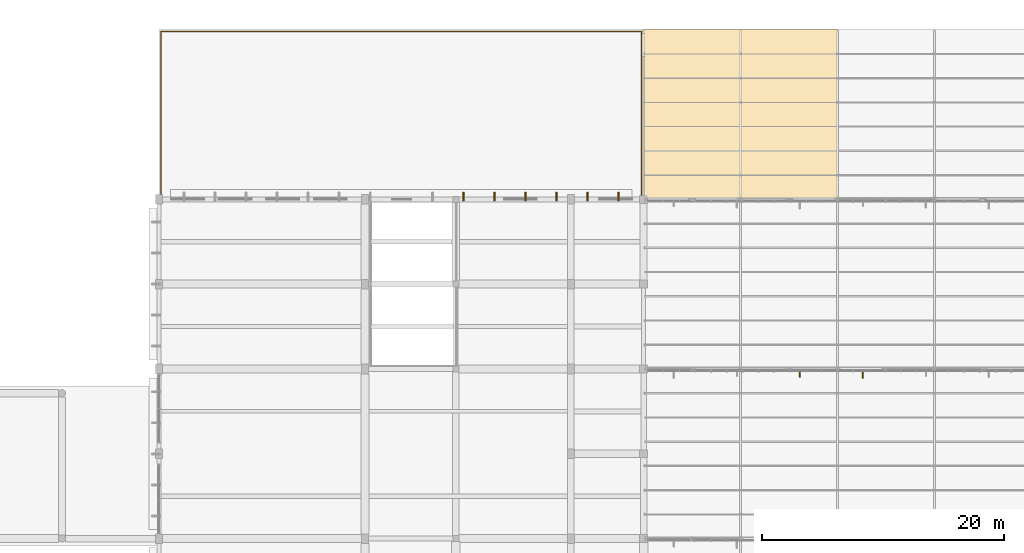
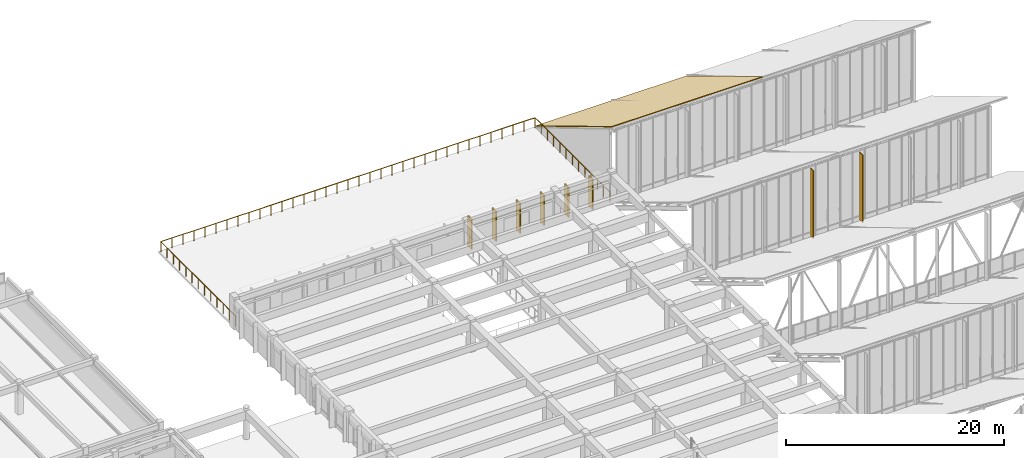
# One storey, part 154 of 155: 7 coverings, 2 shading devices, 1 railing.
"""IFC4 building model written with IfcOpenShell, lengths in metres."""

from ifc_helpers import new_model, si_unit, direction, frame, origin, origin_2d, place, context, subcontext, project, spatial, polyline, rectangle, circle, outline, extrude, material, layer, layer_set, type_object, element, save


model = new_model("IFC4")

# Units and contexts
model_context = context("Model", 3, precision=1e-05, world=origin(), true_north=direction((0.0, 1.0)))
body_context = subcontext(model_context, "Body", "Model", "MODEL_VIEW")
ifc_project = project(units=[si_unit("LENGTHUNIT", "METRE"), si_unit("AREAUNIT", "SQUARE_METRE"), si_unit("VOLUMEUNIT", "CUBIC_METRE"), si_unit("PLANEANGLEUNIT", "RADIAN"), si_unit("MASSUNIT", "GRAM", prefix="KILO")], contexts=[model_context])

# Site, building, storey
site_placement = place(None, origin())
site = spatial("IfcSite", under=ifc_project, at=site_placement, CompositionType="ELEMENT")
building_placement = place(site_placement, origin())
building = spatial("IfcBuilding", under=site, at=building_placement, Name="Larkveld Mobility Hub", CompositionType="ELEMENT")
storey_placement = place(building_placement, frame((0.0, 0.0, 8.39990234375)))
storey = spatial("IfcBuildingStorey", under=building, at=storey_placement, Name="L02", CompositionType="ELEMENT", Elevation=8.39990234375)

# Coverings
ifc_material_1 = material(Name="Precast concrete C50/60", Category="concrete")
ifc_layer_1 = layer(ifc_material_1, 0.1201171875, Name="Precast concrete C50/60", Category="concrete")
ifc_layer_set_1 = layer_set([ifc_layer_1], Name="Precast concrete C50/60")
covering_type_1 = type_object("IfcCoveringType", Name="COV-QSL-V01", PredefinedType="CLADDING", material=ifc_layer_set_1)
for number, where, z_axis, x_axis, name in (
    (1, (149.919921875, 112.239990234375, -0.019287109375), (0.0, 0.0, 1.0), (-1.0, 0.0, 0.0), "Precast Quebra-Sol Vertical Fin QSV-486"),
    (2, (147.360107421875, 112.239990234375, -0.019287109375), (0.0, 0.0, 1.0), (-1.0, 0.0, 0.0), "Precast Quebra-Sol Vertical Fin QSV-487"),
    (3, (144.800048828125, 112.239990234375, -0.019287109375), (0.0, 0.0, 1.0), (-1.0, 0.0, 0.0), "Precast Quebra-Sol Vertical Fin QSV-488"),
    (4, (142.239990234375, 112.239990234375, -0.019287109375), (0.0, 0.0, 1.0), (-1.0, 0.0, 0.0), "Precast Quebra-Sol Vertical Fin QSV-489"),
    (5, (139.679931640625, 112.239990234375, -0.019287109375), (0.0, 0.0, 1.0), (-1.0, 0.0, 0.0), "Precast Quebra-Sol Vertical Fin QSV-490"),
    (6, (137.1201171875, 112.239990234375, -0.019287109375), (0.0, 0.0, 1.0), (-1.0, 0.0, 0.0), "Precast Quebra-Sol Vertical Fin QSV-491"),
):
    element("IfcCovering", number, at=place(storey_placement, frame(where, z_axis=z_axis, x_axis=x_axis)), inside=storey, type_object=covering_type_1, Name=name, PredefinedType="CLADDING", context=body_context, shape_type="SweptSolid", body=[
        extrude(rectangle(XDim=0.1201171875, YDim=0.719970703125, at=origin_2d()), origin(), (0.0, 0.0, 1.0), 3.375),
    ])
ifc_material_2 = material(Name="Standing-seam zinc-alume roofing", Category="aluminium")
ifc_layer_2 = layer(ifc_material_2, 0.080078125, Name="Standing-seam zinc-alume roofing", Category="aluminium")
ifc_layer_set_2 = layer_set([ifc_layer_2], Name="Standing-seam zinc-alume roofing")
covering_type_2 = type_object("IfcCoveringType", Name="COV-RFG-01", PredefinedType="ROOFING", material=ifc_layer_set_2)
covering_placement = place(storey_placement, frame((152.0, 112.0, 8.482177734375), z_axis=(0.0, 0.51450235251, 0.857488967429), x_axis=(1.0, 0.0, 0.0)))
element("IfcCovering", 7, at=covering_placement, inside=storey, type_object=covering_type_2, Name="Sawtooth Standing-Seam Metal Roof B7.1", PredefinedType="ROOFING", context=body_context, shape_type="SweptSolid", body=[
    extrude(outline(polyline([(0.0, 0.0), (16.0, 0.0), (16.0, 16.326740671639204), (0.0, 16.326740671639204), (0.0, 0.0)])), origin(), (0.0, 0.0, -1.0), 0.080078125),
])

# Railing
ifc_material_3 = material(Name="Anodized aluminium 6063-T6 balustrade", Category="aluminium")
railing_type = type_object("IfcRailingType", Name="RL-GRD-1150", PredefinedType="GUARDRAIL", material=ifc_material_3)
railing_placement = place(storey_placement, frame((112.159912109375, 112.080078125, 0.0)))
element("IfcRailing", 8, at=railing_placement, inside=storey, type_object=railing_type, Name="EV Wing L02 North Terrace Guard L02-051", PredefinedType="GUARDRAIL", context=body_context, shape_type="SweptSolid", body=[
    extrude(circle(Radius=0.02392578125, at=origin_2d()), frame((0.0, 0.0, 1.1259765625), z_axis=(0.0, 1.0, 0.0), x_axis=(-1.0, 0.0, 0.0)), (0.0, 0.0, 1.0), 13.760009765625),
    extrude(circle(Radius=0.02392578125, at=origin_2d()), frame((0.0, 13.760009765625, 1.1259765625), z_axis=(1.0, 0.0, 0.0), x_axis=(0.0, 1.0, 0.0)), (0.0, 0.0, 1.0), 39.68017578125),
    extrude(circle(Radius=0.02392578125, at=origin_2d()), frame((39.68017578125, 13.760009765625, 1.1259765625), z_axis=(0.0, -1.0, 0.0), x_axis=(1.0, 0.0, 0.0)), (0.0, 0.0, 1.0), 13.760009765625),
    extrude(circle(Radius=0.02099609375, at=origin_2d()), origin(), (0.0, 0.0, 1.0), 1.101806640625),
    extrude(circle(Radius=0.02099609375, at=origin_2d()), frame((0.0, 1.146728515625, 0.0)), (0.0, 0.0, 1.0), 1.101806640625),
    extrude(circle(Radius=0.02099609375, at=origin_2d()), frame((0.0, 2.29345703125, 0.0)), (0.0, 0.0, 1.0), 1.101806640625),
    extrude(circle(Radius=0.02099609375, at=origin_2d()), frame((0.0, 3.43994140625, 0.0)), (0.0, 0.0, 1.0), 1.101806640625),
    extrude(circle(Radius=0.02099609375, at=origin_2d()), frame((0.0, 4.586669921875, 0.0)), (0.0, 0.0, 1.0), 1.101806640625),
    extrude(circle(Radius=0.02099609375, at=origin_2d()), frame((0.0, 5.7333984375, 0.0)), (0.0, 0.0, 1.0), 1.101806640625),
    extrude(circle(Radius=0.02099609375, at=origin_2d()), frame((0.0, 6.8798828125, 0.0)), (0.0, 0.0, 1.0), 1.101806640625),
    extrude(circle(Radius=0.02099609375, at=origin_2d()), frame((0.0, 8.026611328125, 0.0)), (0.0, 0.0, 1.0), 1.101806640625),
    extrude(circle(Radius=0.02099609375, at=origin_2d()), frame((0.0, 9.17333984375, 0.0)), (0.0, 0.0, 1.0), 1.101806640625),
    extrude(circle(Radius=0.02099609375, at=origin_2d()), frame((0.0, 10.320068359375, 0.0)), (0.0, 0.0, 1.0), 1.101806640625),
    extrude(circle(Radius=0.02099609375, at=origin_2d()), frame((0.0, 11.466796875, 0.0)), (0.0, 0.0, 1.0), 1.101806640625),
    extrude(circle(Radius=0.02099609375, at=origin_2d()), frame((0.0, 12.61328125, 0.0)), (0.0, 0.0, 1.0), 1.101806640625),
    extrude(circle(Radius=0.02099609375, at=origin_2d()), frame((0.0, 13.760009765625, 0.0)), (0.0, 0.0, 1.0), 1.101806640625),
    extrude(circle(Radius=0.02099609375, at=origin_2d()), frame((1.1669921875, 13.760009765625, 0.0)), (0.0, 0.0, 1.0), 1.101806640625),
    extrude(circle(Radius=0.02099609375, at=origin_2d()), frame((2.334228515625, 13.760009765625, 0.0)), (0.0, 0.0, 1.0), 1.101806640625),
    extrude(circle(Radius=0.02099609375, at=origin_2d()), frame((3.501220703125, 13.760009765625, 0.0)), (0.0, 0.0, 1.0), 1.101806640625),
    extrude(circle(Radius=0.02099609375, at=origin_2d()), frame((4.668212890625, 13.760009765625, 0.0)), (0.0, 0.0, 1.0), 1.101806640625),
    extrude(circle(Radius=0.02099609375, at=origin_2d()), frame((5.835205078125, 13.760009765625, 0.0)), (0.0, 0.0, 1.0), 1.101806640625),
    extrude(circle(Radius=0.02099609375, at=origin_2d()), frame((7.00244140625, 13.760009765625, 0.0)), (0.0, 0.0, 1.0), 1.101806640625),
    extrude(circle(Radius=0.02099609375, at=origin_2d()), frame((8.16943359375, 13.760009765625, 0.0)), (0.0, 0.0, 1.0), 1.101806640625),
    extrude(circle(Radius=0.02099609375, at=origin_2d()), frame((9.33642578125, 13.760009765625, 0.0)), (0.0, 0.0, 1.0), 1.101806640625),
    extrude(circle(Radius=0.02099609375, at=origin_2d()), frame((10.503662109375, 13.760009765625, 0.0)), (0.0, 0.0, 1.0), 1.101806640625),
    extrude(circle(Radius=0.02099609375, at=origin_2d()), frame((11.670654296875, 13.760009765625, 0.0)), (0.0, 0.0, 1.0), 1.101806640625),
    extrude(circle(Radius=0.02099609375, at=origin_2d()), frame((12.837646484375, 13.760009765625, 0.0)), (0.0, 0.0, 1.0), 1.101806640625),
    extrude(circle(Radius=0.02099609375, at=origin_2d()), frame((14.0048828125, 13.760009765625, 0.0)), (0.0, 0.0, 1.0), 1.101806640625),
    extrude(circle(Radius=0.02099609375, at=origin_2d()), frame((15.171875, 13.760009765625, 0.0)), (0.0, 0.0, 1.0), 1.101806640625),
    extrude(circle(Radius=0.02099609375, at=origin_2d()), frame((16.3388671875, 13.760009765625, 0.0)), (0.0, 0.0, 1.0), 1.101806640625),
    extrude(circle(Radius=0.02099609375, at=origin_2d()), frame((17.505859375, 13.760009765625, 0.0)), (0.0, 0.0, 1.0), 1.101806640625),
    extrude(circle(Radius=0.02099609375, at=origin_2d()), frame((18.673095703125, 13.760009765625, 0.0)), (0.0, 0.0, 1.0), 1.101806640625),
    extrude(circle(Radius=0.02099609375, at=origin_2d()), frame((19.840087890625, 13.760009765625, 0.0)), (0.0, 0.0, 1.0), 1.101806640625),
    extrude(circle(Radius=0.02099609375, at=origin_2d()), frame((21.007080078125, 13.760009765625, 0.0)), (0.0, 0.0, 1.0), 1.101806640625),
    extrude(circle(Radius=0.02099609375, at=origin_2d()), frame((22.17431640625, 13.760009765625, 0.0)), (0.0, 0.0, 1.0), 1.101806640625),
    extrude(circle(Radius=0.02099609375, at=origin_2d()), frame((23.34130859375, 13.760009765625, 0.0)), (0.0, 0.0, 1.0), 1.101806640625),
    extrude(circle(Radius=0.02099609375, at=origin_2d()), frame((24.50830078125, 13.760009765625, 0.0)), (0.0, 0.0, 1.0), 1.101806640625),
    extrude(circle(Radius=0.02099609375, at=origin_2d()), frame((25.67529296875, 13.760009765625, 0.0)), (0.0, 0.0, 1.0), 1.101806640625),
    extrude(circle(Radius=0.02099609375, at=origin_2d()), frame((26.842529296875, 13.760009765625, 0.0)), (0.0, 0.0, 1.0), 1.101806640625),
    extrude(circle(Radius=0.02099609375, at=origin_2d()), frame((28.009521484375, 13.760009765625, 0.0)), (0.0, 0.0, 1.0), 1.101806640625),
    extrude(circle(Radius=0.02099609375, at=origin_2d()), frame((29.176513671875, 13.760009765625, 0.0)), (0.0, 0.0, 1.0), 1.101806640625),
    extrude(circle(Radius=0.02099609375, at=origin_2d()), frame((30.34375, 13.760009765625, 0.0)), (0.0, 0.0, 1.0), 1.101806640625),
    extrude(circle(Radius=0.02099609375, at=origin_2d()), frame((31.5107421875, 13.760009765625, 0.0)), (0.0, 0.0, 1.0), 1.101806640625),
    extrude(circle(Radius=0.02099609375, at=origin_2d()), frame((32.677734375, 13.760009765625, 0.0)), (0.0, 0.0, 1.0), 1.101806640625),
    extrude(circle(Radius=0.02099609375, at=origin_2d()), frame((33.844970703125, 13.760009765625, 0.0)), (0.0, 0.0, 1.0), 1.101806640625),
    extrude(circle(Radius=0.02099609375, at=origin_2d()), frame((35.011962890625, 13.760009765625, 0.0)), (0.0, 0.0, 1.0), 1.101806640625),
    extrude(circle(Radius=0.02099609375, at=origin_2d()), frame((36.178955078125, 13.760009765625, 0.0)), (0.0, 0.0, 1.0), 1.101806640625),
    extrude(circle(Radius=0.02099609375, at=origin_2d()), frame((37.345947265625, 13.760009765625, 0.0)), (0.0, 0.0, 1.0), 1.101806640625),
    extrude(circle(Radius=0.02099609375, at=origin_2d()), frame((38.51318359375, 13.760009765625, 0.0)), (0.0, 0.0, 1.0), 1.101806640625),
    extrude(circle(Radius=0.02099609375, at=origin_2d()), frame((39.68017578125, 13.760009765625, 0.0)), (0.0, 0.0, 1.0), 1.101806640625),
    extrude(circle(Radius=0.02099609375, at=origin_2d()), frame((39.68017578125, 12.61328125, 0.0)), (0.0, 0.0, 1.0), 1.101806640625),
    extrude(circle(Radius=0.02099609375, at=origin_2d()), frame((39.68017578125, 11.466796875, 0.0)), (0.0, 0.0, 1.0), 1.101806640625),
    extrude(circle(Radius=0.02099609375, at=origin_2d()), frame((39.68017578125, 10.320068359375, 0.0)), (0.0, 0.0, 1.0), 1.101806640625),
    extrude(circle(Radius=0.02099609375, at=origin_2d()), frame((39.68017578125, 9.17333984375, 0.0)), (0.0, 0.0, 1.0), 1.101806640625),
    extrude(circle(Radius=0.02099609375, at=origin_2d()), frame((39.68017578125, 8.026611328125, 0.0)), (0.0, 0.0, 1.0), 1.101806640625),
    extrude(circle(Radius=0.02099609375, at=origin_2d()), frame((39.68017578125, 6.8798828125, 0.0)), (0.0, 0.0, 1.0), 1.101806640625),
    extrude(circle(Radius=0.02099609375, at=origin_2d()), frame((39.68017578125, 5.7333984375, 0.0)), (0.0, 0.0, 1.0), 1.101806640625),
    extrude(circle(Radius=0.02099609375, at=origin_2d()), frame((39.68017578125, 4.586669921875, 0.0)), (0.0, 0.0, 1.0), 1.101806640625),
    extrude(circle(Radius=0.02099609375, at=origin_2d()), frame((39.68017578125, 3.43994140625, 0.0)), (0.0, 0.0, 1.0), 1.101806640625),
    extrude(circle(Radius=0.02099609375, at=origin_2d()), frame((39.68017578125, 2.29345703125, 0.0)), (0.0, 0.0, 1.0), 1.101806640625),
    extrude(circle(Radius=0.02099609375, at=origin_2d()), frame((39.68017578125, 1.146728515625, 0.0)), (0.0, 0.0, 1.0), 1.101806640625),
    extrude(circle(Radius=0.02099609375, at=origin_2d()), frame((39.68017578125, 0.0, 0.0)), (0.0, 0.0, 1.0), 1.101806640625),
])

# Shading devices
ifc_layer_3 = layer(ifc_material_1, 0.074951171875, Name="Precast concrete C50/60", Category="concrete")
ifc_layer_set_3 = layer_set([ifc_layer_3], Name="Precast concrete C50/60")
shading_device_type_1 = type_object("IfcShadingDeviceType", Name="SHD-JAL-02", PredefinedType="JALOUSIE", material=ifc_layer_set_3)
shading_device_1_placement = place(storey_placement, frame((164.89990234375, 97.590087890625, 0.300048828125), z_axis=(0.0, 0.0, 1.0), x_axis=(1.0, 0.0, 0.0)))
element("IfcShadingDevice", 9, at=shading_device_1_placement, inside=storey, type_object=shading_device_type_1, Name="Sawtooth South-Light Brise-Soleil Fin SF-033", PredefinedType="JALOUSIE", context=body_context, shape_type="SweptSolid", body=[
    extrude(rectangle(XDim=0.074951171875, YDim=0.550048828125, at=origin_2d()), origin(), (0.0, 0.0, 1.0), 7.60009765625),
])
ifc_layer_4 = layer(ifc_material_1, 0.0849609375, Name="Precast concrete C50/60", Category="concrete")
ifc_layer_set_4 = layer_set([ifc_layer_4], Name="Precast concrete C50/60")
shading_device_type_2 = type_object("IfcShadingDeviceType", Name="SHD-JAL-03", PredefinedType="JALOUSIE", material=ifc_layer_set_4)
shading_device_2_placement = place(storey_placement, frame((170.10009765625, 97.5400390625, 0.300048828125), z_axis=(0.0, 0.0, 1.0), x_axis=(1.0, 0.0, 0.0)))
element("IfcShadingDevice", 10, at=shading_device_2_placement, inside=storey, type_object=shading_device_type_2, Name="Sawtooth South-Light Brise-Soleil Fin SF-034", PredefinedType="JALOUSIE", context=body_context, shape_type="SweptSolid", body=[
    extrude(rectangle(XDim=0.0849609375, YDim=0.64990234375, at=origin_2d()), origin(), (0.0, 0.0, 1.0), 7.60009765625),
])

save(model, "model.ifc")
